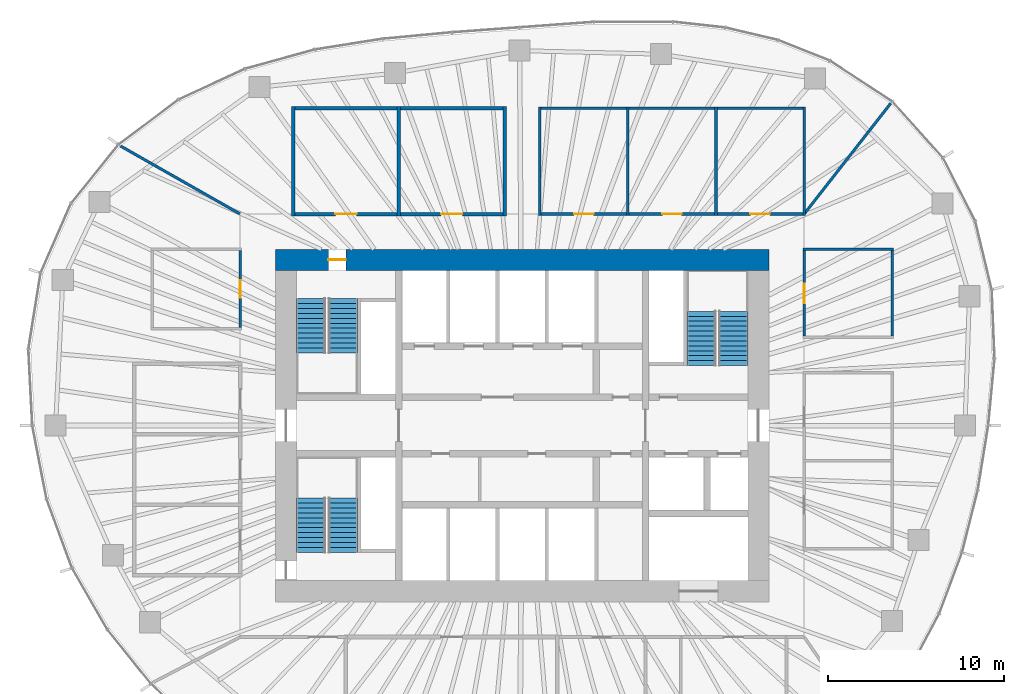
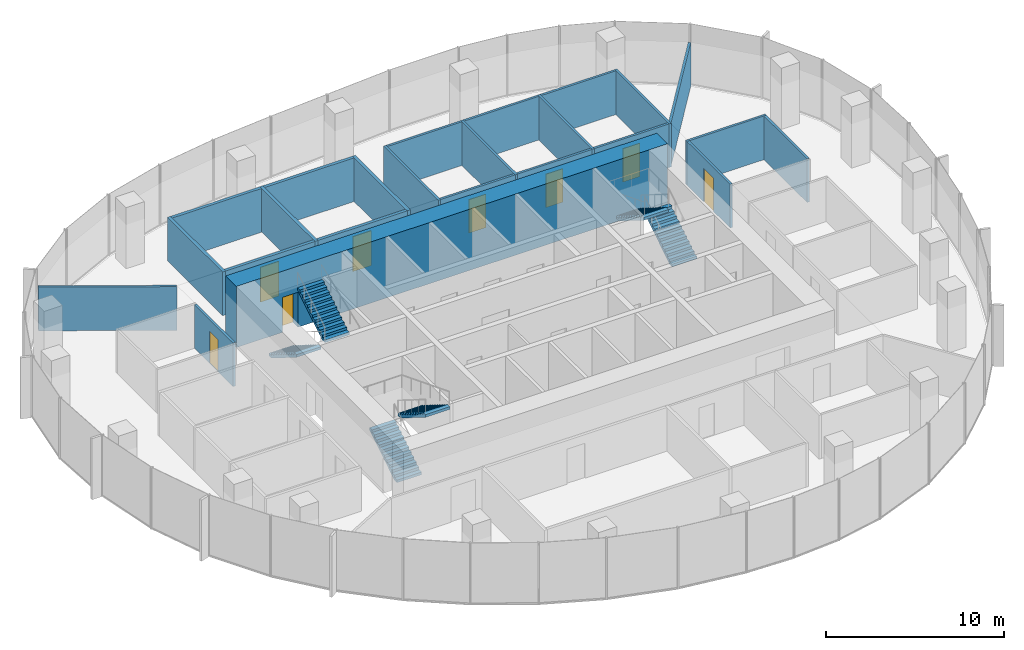
# One storey, part 10 of 11: 24 walls, 8 doors, 6 stair flights, 8 openings, 3 elements without a shape of their own.
"""IFC4 building model written with IfcOpenShell, lengths in metres."""

import ifcopenshell
import ifcopenshell.guid

model = None  # the IFC model being written
_history = None  # IfcOwnerHistory: only IFC2X3 demands one
_inside = {}  # id of a spatial element -> (the spatial element, [elements in it])
_under = {}  # id of a project, library or spatial element -> (it, [spatial elements below it])
_declared = {}  # id of a project -> (the project, [libraries it declares])
_typed = {}  # id of a type object -> (the type object, [elements of that type])
_made_of = {}  # id of a material, layer set ... -> (it, [elements and type objects made of it])


def new_model(schema):
    """Start an empty IFC model of exactly this schema.

    Asked for "IFC4X3", IfcOpenShell would pick the latest addendum, in which some entities
    have other attributes; the version numbers below select the first issue.
    IFC2X3 requires an IfcOwnerHistory on every rooted entity: one is made here for all.
    """
    global model, _history
    if schema == "IFC4X3":
        model = ifcopenshell.file(schema_version=(4, 3, 0, 0))
    else:
        model = ifcopenshell.file(schema=schema)
    _inside.clear()
    _under.clear()
    _declared.clear()
    _typed.clear()
    _made_of.clear()
    _history = None
    if model.schema == "IFC2X3":
        org = make("IfcOrganization", Name="unknown")
        user = make(
            "IfcPersonAndOrganization",
            ThePerson=make("IfcPerson", FamilyName="unknown"),
            TheOrganization=org,
        )
        app = make(
            "IfcApplication",
            ApplicationDeveloper=org,
            Version="unknown",
            ApplicationFullName="unknown",
            ApplicationIdentifier="unknown",
        )
        _history = make(
            "IfcOwnerHistory",
            OwningUser=user,
            OwningApplication=app,
            ChangeAction="ADDED",
            CreationDate=0,
        )
    return model


def make(cls, **values):
    """One entity of the class cls with the attributes given. An attribute that is None is left unset."""
    return model.create_entity(
        cls, **{name: value for name, value in values.items() if value is not None}
    )


def rooted(cls, **values):
    """An entity with a GlobalId (a new one), such as an element, a storey or a relation."""
    return make(cls, GlobalId=ifcopenshell.guid.new(), OwnerHistory=_history, **values)


def si_unit(unit_type, name, prefix=None):
    """IfcSIUnit, for example si_unit("LENGTHUNIT", "METRE", prefix="MILLI")."""
    return make("IfcSIUnit", UnitType=unit_type, Prefix=prefix, Name=name)


def assignment(units):
    """IfcUnitAssignment: the units of a project."""
    return None if units is None else make("IfcUnitAssignment", Units=units)


def point(xyz):
    """IfcCartesianPoint."""
    return None if xyz is None else make("IfcCartesianPoint", Coordinates=xyz)


def direction(xyz):
    """IfcDirection."""
    return None if xyz is None else make("IfcDirection", DirectionRatios=xyz)


def frame(location, z_axis=None, x_axis=None):
    """IfcAxis2Placement3D, a coordinate frame: its origin and axes. An axis left out is left unset."""
    return make(
        "IfcAxis2Placement3D",
        Location=point(location),
        Axis=direction(z_axis),
        RefDirection=direction(x_axis),
    )


def frame_2d(location, x_axis=None):
    """IfcAxis2Placement2D, a coordinate frame in the plane: its origin and x axis."""
    return make(
        "IfcAxis2Placement2D", Location=point(location), RefDirection=direction(x_axis)
    )


def origin():
    """The frame at (0, 0, 0) with its axes left unset."""
    return frame((0.0, 0.0, 0.0))


def place(relative_to, where):
    """IfcLocalPlacement: puts the frame where relative to a parent placement (None: the world)."""
    return make(
        "IfcLocalPlacement", PlacementRelTo=relative_to, RelativePlacement=where
    )


def context(
    kind, dimensions, precision=None, world=None, true_north=None, identifier=None
):
    """IfcGeometricRepresentationContext, for example the 3D "Model" context."""
    return make(
        "IfcGeometricRepresentationContext",
        ContextIdentifier=identifier,
        ContextType=kind,
        CoordinateSpaceDimension=dimensions,
        Precision=precision,
        WorldCoordinateSystem=world,
        TrueNorth=true_north,
    )


def subcontext(parent, identifier, kind, view, scale=None):
    """IfcGeometricRepresentationSubContext, for example "Body" below "Model"."""
    return make(
        "IfcGeometricRepresentationSubContext",
        ContextIdentifier=identifier,
        ContextType=kind,
        ParentContext=parent,
        TargetScale=scale,
        TargetView=view,
    )


def project(units=None, contexts=None):
    """IfcProject with its units and contexts."""
    return rooted(
        "IfcProject",
        Name="project",
        RepresentationContexts=contexts,
        UnitsInContext=assignment(units),
    )


def spatial(cls, under=None, at=None, **own):
    """A site, building, storey or space (cls), placed at a placement, below another one or the project."""
    s = rooted(cls, ObjectPlacement=at, **own)
    if under is not None:
        _under.setdefault(under.id(), (under, []))[1].append(s)
    return s


def polyline(points):
    """IfcPolyline through the points."""
    return make("IfcPolyline", Points=[point(p) for p in points])


def profile(cls, at=None, kind="AREA", **sizes):
    """A parametric profile (cls). Its sizes go by their IFC names, for example OverallWidth=200.0."""
    return make(cls, ProfileType=kind, Position=at, **sizes)


def rectangle(**sizes):
    """IfcRectangleProfileDef."""
    return profile("IfcRectangleProfileDef", **sizes)


def outline(outer, holes=None, kind="AREA"):
    """IfcArbitraryClosedProfileDef: a profile drawn as a closed curve; with holes, ...WithVoids."""
    if holes is None:
        return make("IfcArbitraryClosedProfileDef", ProfileType=kind, OuterCurve=outer)
    return make(
        "IfcArbitraryProfileDefWithVoids",
        ProfileType=kind,
        OuterCurve=outer,
        InnerCurves=holes,
    )


def extrude(swept, where, along, depth):
    """IfcExtrudedAreaSolid: the profile swept, set in the frame where, extruded along a direction by depth."""
    return make(
        "IfcExtrudedAreaSolid",
        SweptArea=swept,
        Position=where,
        ExtrudedDirection=direction(along),
        Depth=depth,
    )


def shape(context_of_items, identifier, shape_type, items):
    """IfcShapeRepresentation: the items that make up one representation, for example the "Body"."""
    return make(
        "IfcShapeRepresentation",
        ContextOfItems=context_of_items,
        RepresentationIdentifier=identifier,
        RepresentationType=shape_type,
        Items=items,
    )


def material(Name=None, Category=None):
    """IfcMaterial."""
    return make("IfcMaterial", Name=Name, Category=Category)


def layer(
    of_material, thickness, ventilated=None, Name=None, Category=None, Priority=None
):
    """IfcMaterialLayer: one layer of a wall or slab, of a material (None: an air gap)."""
    return make(
        "IfcMaterialLayer",
        Material=of_material,
        LayerThickness=thickness,
        IsVentilated=ventilated,
        Name=Name,
        Category=Category,
        Priority=Priority,
    )


def layer_set(layers, Name=None):
    """IfcMaterialLayerSet."""
    return make("IfcMaterialLayerSet", MaterialLayers=layers, LayerSetName=Name)


def made_of(thing, what):
    """Note that an element or type object is made of a material, layer set ...; save() writes the relation."""
    if what is not None:
        _made_of.setdefault(what.id(), (what, []))[1].append(thing)
    return thing


def type_object(cls, material=None, **own):
    """A type object (cls), such as IfcWallType, which elements share."""
    return made_of(rooted(cls, **own), material)


def element(
    cls,
    number,
    at=None,
    inside=None,
    cuts=None,
    type_object=None,
    material=None,
    context=None,
    identifier="Body",
    shape_type=None,
    held_by="IfcProductDefinitionShape",
    body=None,
    shapes=None,
    **own,
):
    """One element of the class cls, such as IfcWall. Its Tag is "e" and its number.

    at: its placement. inside: the storey or other place that contains it. cuts: it is an
    opening in that element (IfcRelVoidsElement). A single representation is given by context,
    identifier, shape_type and body (its items); several are given by shapes. held_by: the class
    of the entity that holds the representations. save() writes the other relations.
    """
    e = rooted(cls, Tag="e%d" % number, ObjectPlacement=at, **own)
    if body is not None:
        shapes = [shape(context, identifier, shape_type, body)]
    if shapes is not None:
        e.Representation = make(held_by, Representations=shapes)
    if inside is not None:
        _inside.setdefault(inside.id(), (inside, []))[1].append(e)
    if cuts is not None:
        rooted(
            "IfcRelVoidsElement", RelatingBuildingElement=cuts, RelatedOpeningElement=e
        )
    if type_object is not None:
        _typed.setdefault(type_object.id(), (type_object, []))[1].append(e)
    return made_of(e, material)


def fill(opening, filler):
    """IfcRelFillsElement: the door or window that sits in an opening."""
    return rooted(
        "IfcRelFillsElement",
        RelatingOpeningElement=opening,
        RelatedBuildingElement=filler,
    )


def aggregate(whole, parts):
    """IfcRelAggregates: a whole, such as a stair, and the parts it consists of."""
    return rooted("IfcRelAggregates", RelatingObject=whole, RelatedObjects=parts)


def save(model, path):
    """Write the relations noted so far, then the file.

    IfcRelAggregates (storeys below a building ...), IfcRelContainedInSpatialStructure (elements
    in a storey), IfcRelDefinesByType, IfcRelAssociatesMaterial and IfcRelDeclares: one each for
    every whole, place, type object, material and project.
    """
    for whole, parts in _under.values():
        aggregate(whole, parts)
    for where, things in _inside.values():
        rooted(
            "IfcRelContainedInSpatialStructure",
            RelatedElements=things,
            RelatingStructure=where,
        )
    for kind, things in _typed.values():
        rooted("IfcRelDefinesByType", RelatedObjects=things, RelatingType=kind)
    for what, things in _made_of.values():
        rooted("IfcRelAssociatesMaterial", RelatedObjects=things, RelatingMaterial=what)
    for by, libraries in _declared.values():
        rooted("IfcRelDeclares", RelatingContext=by, RelatedDefinitions=libraries)
    model.write(path)


model = new_model("IFC4")

# Units and contexts
model_context = context("Model", 3, precision=1e-05, world=origin(), true_north=direction((0.0, 1.0)))
body_context = subcontext(model_context, "Body", "Model", "MODEL_VIEW")
ifc_project = project(units=[si_unit("LENGTHUNIT", "METRE"), si_unit("AREAUNIT", "SQUARE_METRE"), si_unit("VOLUMEUNIT", "CUBIC_METRE"), si_unit("PLANEANGLEUNIT", "RADIAN"), si_unit("MASSUNIT", "GRAM", prefix="KILO")], contexts=[model_context])

# Site, building, storey
site_placement = place(None, origin())
site = spatial("IfcSite", under=ifc_project, at=site_placement, CompositionType="ELEMENT")
building_placement = place(site_placement, origin())
building = spatial("IfcBuilding", under=site, at=building_placement, Name="Ghaith Harvest Tower", CompositionType="ELEMENT")
storey_placement = place(building_placement, frame((0.0, 0.0, 241.0)))
storey = spatial("IfcBuildingStorey", under=building, at=storey_placement, Name="L53", CompositionType="ELEMENT", Elevation=241.0)

# Walls
ifc_material_1 = material(Name="Twin-stud gypsum board, acoustic", Category="gypsum")
ifc_layer_1 = layer(ifc_material_1, 0.199951171875)
ifc_layer_set_1 = layer_set([ifc_layer_1], Name="ACOUSTIC PARTITION 200")
wall_type_1 = type_object("IfcWallType", Name="ACOUSTIC PARTITION 200", PredefinedType="PARTITIONING", material=ifc_layer_set_1)
for number, where, z_axis, x_axis, name in (
    (1, (-13.0, 11.89990234375, 0.0), (0.0, 0.0, 1.0), (0.0, 1.0, 0.0), "Partition L53 row N3 cross wall 1"),
    (2, (-7.0, 11.89990234375, 0.0), (0.0, 0.0, 1.0), (0.0, 1.0, 0.0), "Partition L53 row N3 cross wall 2"),
    (3, (-1.0, 11.89990234375, 0.0), (0.0, 0.0, 1.0), (0.0, 1.0, 0.0), "Partition L53 row N3 cross wall 3"),
):
    element("IfcWall", number, at=place(storey_placement, frame(where, z_axis=z_axis, x_axis=x_axis)), inside=storey, type_object=wall_type_1, Name=name, PredefinedType="PARTITIONING", context=body_context, shape_type="SweptSolid", body=[
        extrude(rectangle(XDim=6.2001953125, YDim=0.199951171875, at=frame_2d((3.10009765625, 0.0))), origin(), (0.0, 0.0, 1.0), 3.0),
    ])

# Wall, opening, door
wall_1_placement = place(storey_placement, frame((-12.89990234375, 12.0, 0.0), z_axis=(0.0, 0.0, 1.0), x_axis=(1.0, 0.0, 0.0)))
wall_1 = element("IfcWall", 4, at=wall_1_placement, inside=storey, type_object=wall_type_1, Name="Partition L53-06", PredefinedType="PARTITIONING", context=body_context, shape_type="SweptSolid", body=[
    extrude(rectangle(XDim=5.7998046875, YDim=0.199951171875, at=frame_2d((2.89990234375, 0.0))), origin(), (0.0, 0.0, 1.0), 3.0),
])
opening_1_placement = place(wall_1_placement, frame((2.300048828125, 0.0, 0.0)))
opening_1 = element("IfcOpeningElement", 5, at=opening_1_placement, cuts=wall_1, Name="Opening 53-025", PredefinedType="OPENING", context=body_context, shape_type="SweptSolid", body=[
    extrude(rectangle(XDim=1.199951171875, YDim=2.39990234375, at=frame_2d((0.60009765625, 1.199951171875))), frame((0.0, 0.10986328125, 0.0), z_axis=(0.0, -1.0, 0.0), x_axis=(1.0, 0.0, 0.0)), (0.0, 0.0, 1.0), 0.219970703125),
])
ifc_material_2 = material(Name="Timber door", Category="wood")
door_type_1 = type_object("IfcDoorType", Name="D11 GLAZED 1200x2400", OperationType="SINGLE_SWING_LEFT", PredefinedType="DOOR", material=ifc_material_2)
door_1_placement = place(opening_1_placement, origin())
door_1 = element("IfcDoor", 6, at=door_1_placement, inside=storey, type_object=door_type_1, Name="Meeting room door", OperationType="SINGLE_SWING_LEFT", OverallHeight=2.39990234375, OverallWidth=1.199951171875, PredefinedType="DOOR", context=body_context, shape_type="SweptSolid", body=[
    extrude(rectangle(XDim=1.199951171875, YDim=2.39990234375, at=frame_2d((0.60009765625, 1.199951171875))), frame((0.0, 0.02490234375, 0.0), z_axis=(0.0, -1.0, 0.0), x_axis=(1.0, 0.0, 0.0)), (0.0, 0.0, 1.0), 0.050048828125),
])
fill(opening_1, door_1)

# Wall
wall_2_placement = place(storey_placement, frame((-12.89990234375, 18.0, 0.0), z_axis=(0.0, 0.0, 1.0), x_axis=(1.0, 0.0, 0.0)))
element("IfcWall", 7, at=wall_2_placement, inside=storey, type_object=wall_type_1, Name="Partition L53-06", PredefinedType="PARTITIONING", context=body_context, shape_type="SweptSolid", body=[
    extrude(rectangle(XDim=5.7998046875, YDim=0.199951171875, at=frame_2d((2.89990234375, 0.0))), origin(), (0.0, 0.0, 1.0), 3.0),
])

# Wall, opening, door
wall_3_placement = place(storey_placement, frame((-6.89990234375, 12.0, 0.0), z_axis=(0.0, 0.0, 1.0), x_axis=(1.0, 0.0, 0.0)))
wall_3 = element("IfcWall", 8, at=wall_3_placement, inside=storey, type_object=wall_type_1, Name="Partition L53-07", PredefinedType="PARTITIONING", context=body_context, shape_type="SweptSolid", body=[
    extrude(rectangle(XDim=5.7998046875, YDim=0.199951171875, at=frame_2d((2.89990234375, 0.0))), origin(), (0.0, 0.0, 1.0), 3.0),
])
opening_2_placement = place(wall_3_placement, frame((2.300048828125, 0.0, 0.0)))
opening_2 = element("IfcOpeningElement", 9, at=opening_2_placement, cuts=wall_3, Name="Opening 53-026", PredefinedType="OPENING", context=body_context, shape_type="SweptSolid", body=[
    extrude(rectangle(XDim=1.199951171875, YDim=2.39990234375, at=frame_2d((0.60009765625, 1.199951171875))), frame((0.0, 0.10986328125, 0.0), z_axis=(0.0, -1.0, 0.0), x_axis=(1.0, 0.0, 0.0)), (0.0, 0.0, 1.0), 0.219970703125),
])
door_2_placement = place(opening_2_placement, origin())
door_2 = element("IfcDoor", 10, at=door_2_placement, inside=storey, type_object=door_type_1, Name="Meeting room door", OperationType="SINGLE_SWING_LEFT", OverallHeight=2.39990234375, OverallWidth=1.199951171875, PredefinedType="DOOR", context=body_context, shape_type="SweptSolid", body=[
    extrude(rectangle(XDim=1.199951171875, YDim=2.39990234375, at=frame_2d((0.60009765625, 1.199951171875))), frame((0.0, 0.02490234375, 0.0), z_axis=(0.0, -1.0, 0.0), x_axis=(1.0, 0.0, 0.0)), (0.0, 0.0, 1.0), 0.050048828125),
])
fill(opening_2, door_2)

# Wall
wall_4_placement = place(storey_placement, frame((-6.89990234375, 18.0, 0.0), z_axis=(0.0, 0.0, 1.0), x_axis=(1.0, 0.0, 0.0)))
element("IfcWall", 11, at=wall_4_placement, inside=storey, type_object=wall_type_1, Name="Partition L53-07", PredefinedType="PARTITIONING", context=body_context, shape_type="SweptSolid", body=[
    extrude(rectangle(XDim=5.7998046875, YDim=0.199951171875, at=frame_2d((2.89990234375, 0.0))), origin(), (0.0, 0.0, 1.0), 3.0),
])

# Wall, opening, door
ifc_material_3 = material(Name="Concrete C60/75", Category="concrete")
ifc_layer_2 = layer(ifc_material_3, 1.199951171875)
ifc_layer_set_2 = layer_set([ifc_layer_2], Name="CORE WALL CW1200 C60")
wall_type_2 = type_object("IfcWallType", Name="CORE WALL CW1200 C60", PredefinedType="SHEAR", material=ifc_layer_set_2)
wall_5_placement = place(storey_placement, frame((14.0, 9.39990234375, 0.0), z_axis=(0.0, 0.0, 1.0), x_axis=(-1.0, 0.0, 0.0)))
wall_5 = element("IfcWall", 12, at=wall_5_placement, inside=storey, type_object=wall_type_2, Name="Core wall N L53", PredefinedType="SHEAR", context=body_context, shape_type="SweptSolid", body=[
    extrude(rectangle(XDim=28.0, YDim=1.199951171875, at=frame_2d((14.0, 0.0))), origin(), (0.0, 0.0, 1.0), 4.199951171875),
])
opening_3_placement = place(wall_5_placement, frame((24.0, 0.0, 0.0)))
opening_3 = element("IfcOpeningElement", 13, at=opening_3_placement, cuts=wall_5, Name="Opening 53-005", PredefinedType="OPENING", context=body_context, shape_type="SweptSolid", body=[
    extrude(rectangle(XDim=1.0, YDim=2.39990234375, at=frame_2d((0.5, 1.199951171875))), frame((0.0, 0.60986328125, 0.0), z_axis=(0.0, -1.0, 0.0), x_axis=(1.0, 0.0, 0.0)), (0.0, 0.0, 1.0), 1.219970703125),
])
ifc_material_4 = material(Name="Steel fire door", Category="steel")
door_type_2 = type_object("IfcDoorType", Name="D3 FD90 1000x2400", OperationType="SINGLE_SWING_LEFT", PredefinedType="DOOR", material=ifc_material_4)
door_3_placement = place(opening_3_placement, origin())
door_3 = element("IfcDoor", 14, at=door_3_placement, inside=storey, type_object=door_type_2, Name="Stair ST1 door", OperationType="SINGLE_SWING_RIGHT", OverallHeight=2.39990234375, OverallWidth=1.0, PredefinedType="DOOR", context=body_context, shape_type="SweptSolid", body=[
    extrude(rectangle(XDim=1.0, YDim=2.39990234375, at=frame_2d((0.5, 1.199951171875))), frame((0.0, 0.02490234375, 0.0), z_axis=(0.0, -1.0, 0.0), x_axis=(1.0, 0.0, 0.0)), (0.0, 0.0, 1.0), 0.050048828125),
])
fill(opening_3, door_3)

# Walls
ifc_material_5 = material(Name="Gypsum board on steel studs", Category="steel")
ifc_layer_3 = layer(ifc_material_5, 0.14990234375)
ifc_layer_set_3 = layer_set([ifc_layer_3], Name="PARTITION 150")
wall_type_3 = type_object("IfcWallType", Name="PARTITION 150", PredefinedType="PARTITIONING", material=ifc_layer_set_3)
for number, where, z_axis, x_axis, name in (
    (15, (1.0, 11.925048828125, 0.0), (0.0, 0.0, 1.0), (0.0, 1.0, 0.0), "Partition L53 row N4 cross wall 1"),
    (16, (6.0, 11.925048828125, 0.0), (0.0, 0.0, 1.0), (0.0, 1.0, 0.0), "Partition L53 row N4 cross wall 2"),
    (17, (11.0, 11.925048828125, 0.0), (0.0, 0.0, 1.0), (0.0, 1.0, 0.0), "Partition L53 row N4 cross wall 3"),
    (18, (16.0, 11.925048828125, 0.0), (0.0, 0.0, 1.0), (0.0, 1.0, 0.0), "Partition L53 row N4 cross wall 4"),
):
    element("IfcWall", number, at=place(storey_placement, frame(where, z_axis=z_axis, x_axis=x_axis)), inside=storey, type_object=wall_type_3, Name=name, PredefinedType="PARTITIONING", context=body_context, shape_type="SweptSolid", body=[
        extrude(rectangle(XDim=6.14990234375, YDim=0.14990234375, at=frame_2d((3.074951171875, 0.0))), origin(), (0.0, 0.0, 1.0), 3.0),
    ])

# Wall, opening, door
wall_6_placement = place(storey_placement, frame((1.074951171875, 12.0, 0.0), z_axis=(0.0, 0.0, 1.0), x_axis=(1.0, 0.0, 0.0)))
wall_6 = element("IfcWall", 19, at=wall_6_placement, inside=storey, type_object=wall_type_3, Name="Partition L53-08", PredefinedType="PARTITIONING", context=body_context, shape_type="SweptSolid", body=[
    extrude(rectangle(XDim=4.85009765625, YDim=0.14990234375, at=frame_2d((2.425048828125, 0.0))), origin(), (0.0, 0.0, 1.0), 3.0),
])
opening_4_placement = place(wall_6_placement, frame((1.875, 0.0, 0.0)))
opening_4 = element("IfcOpeningElement", 20, at=opening_4_placement, cuts=wall_6, Name="Opening 53-027", PredefinedType="OPENING", context=body_context, shape_type="SweptSolid", body=[
    extrude(rectangle(XDim=1.10009765625, YDim=2.300048828125, at=frame_2d((0.550048828125, 1.14990234375))), frame((0.0, 0.0849609375, 0.0), z_axis=(0.0, -1.0, 0.0), x_axis=(1.0, 0.0, 0.0)), (0.0, 0.0, 1.0), 0.169921875),
])
ifc_material_6 = material(Name="Timber-framed glazed door", Category="wood")
door_type_3 = type_object("IfcDoorType", Name="D12 GLAZED OFFICE 1100x2300", OperationType="SINGLE_SWING_LEFT", PredefinedType="DOOR", material=ifc_material_6)
door_4_placement = place(opening_4_placement, origin())
door_4 = element("IfcDoor", 21, at=door_4_placement, inside=storey, type_object=door_type_3, Name="Office door", OperationType="SINGLE_SWING_LEFT", OverallHeight=2.300048828125, OverallWidth=1.10009765625, PredefinedType="DOOR", context=body_context, shape_type="SweptSolid", body=[
    extrude(rectangle(XDim=1.10009765625, YDim=2.300048828125, at=frame_2d((0.550048828125, 1.14990234375))), frame((0.0, 0.02490234375, 0.0), z_axis=(0.0, -1.0, 0.0), x_axis=(1.0, 0.0, 0.0)), (0.0, 0.0, 1.0), 0.050048828125),
])
fill(opening_4, door_4)

# Wall
wall_7_placement = place(storey_placement, frame((1.074951171875, 18.0, 0.0), z_axis=(0.0, 0.0, 1.0), x_axis=(1.0, 0.0, 0.0)))
element("IfcWall", 22, at=wall_7_placement, inside=storey, type_object=wall_type_3, Name="Partition L53-08", PredefinedType="PARTITIONING", context=body_context, shape_type="SweptSolid", body=[
    extrude(rectangle(XDim=4.85009765625, YDim=0.14990234375, at=frame_2d((2.425048828125, 0.0))), origin(), (0.0, 0.0, 1.0), 3.0),
])

# Wall, opening, door
wall_8_placement = place(storey_placement, frame((6.074951171875, 12.0, 0.0), z_axis=(0.0, 0.0, 1.0), x_axis=(1.0, 0.0, 0.0)))
wall_8 = element("IfcWall", 23, at=wall_8_placement, inside=storey, type_object=wall_type_3, Name="Partition L53-09", PredefinedType="PARTITIONING", context=body_context, shape_type="SweptSolid", body=[
    extrude(rectangle(XDim=4.85009765625, YDim=0.14990234375, at=frame_2d((2.425048828125, 0.0))), origin(), (0.0, 0.0, 1.0), 3.0),
])
opening_5_placement = place(wall_8_placement, frame((1.875, 0.0, 0.0)))
opening_5 = element("IfcOpeningElement", 24, at=opening_5_placement, cuts=wall_8, Name="Opening 53-028", PredefinedType="OPENING", context=body_context, shape_type="SweptSolid", body=[
    extrude(rectangle(XDim=1.10009765625, YDim=2.300048828125, at=frame_2d((0.550048828125, 1.14990234375))), frame((0.0, 0.0849609375, 0.0), z_axis=(0.0, -1.0, 0.0), x_axis=(1.0, 0.0, 0.0)), (0.0, 0.0, 1.0), 0.169921875),
])
door_5_placement = place(opening_5_placement, origin())
door_5 = element("IfcDoor", 25, at=door_5_placement, inside=storey, type_object=door_type_3, Name="Office door", OperationType="SINGLE_SWING_LEFT", OverallHeight=2.300048828125, OverallWidth=1.10009765625, PredefinedType="DOOR", context=body_context, shape_type="SweptSolid", body=[
    extrude(rectangle(XDim=1.10009765625, YDim=2.300048828125, at=frame_2d((0.550048828125, 1.14990234375))), frame((0.0, 0.02490234375, 0.0), z_axis=(0.0, -1.0, 0.0), x_axis=(1.0, 0.0, 0.0)), (0.0, 0.0, 1.0), 0.050048828125),
])
fill(opening_5, door_5)

# Wall
wall_9_placement = place(storey_placement, frame((6.074951171875, 18.0, 0.0), z_axis=(0.0, 0.0, 1.0), x_axis=(1.0, 0.0, 0.0)))
element("IfcWall", 26, at=wall_9_placement, inside=storey, type_object=wall_type_3, Name="Partition L53-09", PredefinedType="PARTITIONING", context=body_context, shape_type="SweptSolid", body=[
    extrude(rectangle(XDim=4.85009765625, YDim=0.14990234375, at=frame_2d((2.425048828125, 0.0))), origin(), (0.0, 0.0, 1.0), 3.0),
])

# Wall, opening, door
wall_10_placement = place(storey_placement, frame((11.074951171875, 12.0, 0.0), z_axis=(0.0, 0.0, 1.0), x_axis=(1.0, 0.0, 0.0)))
wall_10 = element("IfcWall", 27, at=wall_10_placement, inside=storey, type_object=wall_type_3, Name="Partition L53-10", PredefinedType="PARTITIONING", context=body_context, shape_type="SweptSolid", body=[
    extrude(rectangle(XDim=4.85009765625, YDim=0.14990234375, at=frame_2d((2.425048828125, 0.0))), origin(), (0.0, 0.0, 1.0), 3.0),
])
opening_6_placement = place(wall_10_placement, frame((1.875, 0.0, 0.0)))
opening_6 = element("IfcOpeningElement", 28, at=opening_6_placement, cuts=wall_10, Name="Opening 53-029", PredefinedType="OPENING", context=body_context, shape_type="SweptSolid", body=[
    extrude(rectangle(XDim=1.10009765625, YDim=2.300048828125, at=frame_2d((0.550048828125, 1.14990234375))), frame((0.0, 0.0849609375, 0.0), z_axis=(0.0, -1.0, 0.0), x_axis=(1.0, 0.0, 0.0)), (0.0, 0.0, 1.0), 0.169921875),
])
door_6_placement = place(opening_6_placement, origin())
door_6 = element("IfcDoor", 29, at=door_6_placement, inside=storey, type_object=door_type_3, Name="Office door", OperationType="SINGLE_SWING_LEFT", OverallHeight=2.300048828125, OverallWidth=1.10009765625, PredefinedType="DOOR", context=body_context, shape_type="SweptSolid", body=[
    extrude(rectangle(XDim=1.10009765625, YDim=2.300048828125, at=frame_2d((0.550048828125, 1.14990234375))), frame((0.0, 0.02490234375, 0.0), z_axis=(0.0, -1.0, 0.0), x_axis=(1.0, 0.0, 0.0)), (0.0, 0.0, 1.0), 0.050048828125),
])
fill(opening_6, door_6)

# Walls
wall_11_placement = place(storey_placement, frame((11.074951171875, 18.0, 0.0), z_axis=(0.0, 0.0, 1.0), x_axis=(1.0, 0.0, 0.0)))
element("IfcWall", 30, at=wall_11_placement, inside=storey, type_object=wall_type_3, Name="Partition L53-10", PredefinedType="PARTITIONING", context=body_context, shape_type="SweptSolid", body=[
    extrude(rectangle(XDim=4.85009765625, YDim=0.14990234375, at=frame_2d((2.425048828125, 0.0))), origin(), (0.0, 0.0, 1.0), 3.0),
])
wall_12_placement = place(storey_placement, frame((15.925048828125, 10.0, 0.0), z_axis=(0.0, 0.0, 1.0), x_axis=(1.0, 0.0, 0.0)))
element("IfcWall", 31, at=wall_12_placement, inside=storey, type_object=wall_type_3, Name="Partition L53 row E7 cross wall 2", PredefinedType="PARTITIONING", context=body_context, shape_type="SweptSolid", body=[
    extrude(rectangle(XDim=5.14990234375, YDim=0.14990234375, at=frame_2d((2.574951171875, 0.0))), origin(), (0.0, 0.0, 1.0), 3.0),
])

# Wall, opening, door
wall_13_placement = place(storey_placement, frame((16.0, 5.074951171875, 0.0), z_axis=(0.0, 0.0, 1.0), x_axis=(0.0, 1.0, 0.0)))
wall_13 = element("IfcWall", 32, at=wall_13_placement, inside=storey, type_object=wall_type_3, Name="Partition L53-14", PredefinedType="PARTITIONING", context=body_context, shape_type="SweptSolid", body=[
    extrude(rectangle(XDim=4.85009765625, YDim=0.14990234375, at=frame_2d((2.425048828125, 0.0))), origin(), (0.0, 0.0, 1.0), 3.0),
])
opening_7_placement = place(wall_13_placement, frame((1.875, 0.0, 0.0)))
opening_7 = element("IfcOpeningElement", 33, at=opening_7_placement, cuts=wall_13, Name="Opening 53-033", PredefinedType="OPENING", context=body_context, shape_type="SweptSolid", body=[
    extrude(rectangle(XDim=1.10009765625, YDim=2.300048828125, at=frame_2d((0.550048828125, 1.14990234375))), frame((0.0, 0.0849609375, 0.0), z_axis=(0.0, -1.0, 0.0), x_axis=(1.0, 0.0, 0.0)), (0.0, 0.0, 1.0), 0.169921875),
])
door_7_placement = place(opening_7_placement, origin())
door_7 = element("IfcDoor", 34, at=door_7_placement, inside=storey, type_object=door_type_3, Name="Office door", OperationType="SINGLE_SWING_LEFT", OverallHeight=2.300048828125, OverallWidth=1.10009765625, PredefinedType="DOOR", context=body_context, shape_type="SweptSolid", body=[
    extrude(rectangle(XDim=1.10009765625, YDim=2.300048828125, at=frame_2d((0.550048828125, 1.14990234375))), frame((0.0, 0.02490234375, 0.0), z_axis=(0.0, -1.0, 0.0), x_axis=(1.0, 0.0, 0.0)), (0.0, 0.0, 1.0), 0.050048828125),
])
fill(opening_7, door_7)

# Wall
wall_14_placement = place(storey_placement, frame((21.0, 5.074951171875, 0.0), z_axis=(0.0, 0.0, 1.0), x_axis=(0.0, 1.0, 0.0)))
element("IfcWall", 35, at=wall_14_placement, inside=storey, type_object=wall_type_3, Name="Partition L53-14", PredefinedType="PARTITIONING", context=body_context, shape_type="SweptSolid", body=[
    extrude(rectangle(XDim=4.85009765625, YDim=0.14990234375, at=frame_2d((2.425048828125, 0.0))), origin(), (0.0, 0.0, 1.0), 3.0),
])

# Wall, opening, door
wall_15_placement = place(storey_placement, frame((-16.0, 5.574951171875, 0.0), z_axis=(0.0, 0.0, 1.0), x_axis=(0.0, 1.0, 0.0)))
wall_15 = element("IfcWall", 36, at=wall_15_placement, inside=storey, type_object=wall_type_3, Name="Partition L53-15", PredefinedType="PARTITIONING", context=body_context, shape_type="SweptSolid", body=[
    extrude(rectangle(XDim=4.35009765625, YDim=0.14990234375, at=frame_2d((2.175048828125, 0.0))), origin(), (0.0, 0.0, 1.0), 3.0),
])
opening_8_placement = place(wall_15_placement, frame((1.675048828125, 0.0, 0.0)))
opening_8 = element("IfcOpeningElement", 37, at=opening_8_placement, cuts=wall_15, Name="Opening 53-034", PredefinedType="OPENING", context=body_context, shape_type="SweptSolid", body=[
    extrude(rectangle(XDim=1.0, YDim=2.199951171875, at=frame_2d((0.5, 1.10009765625))), frame((0.0, 0.0849609375, 0.0), z_axis=(0.0, -1.0, 0.0), x_axis=(1.0, 0.0, 0.0)), (0.0, 0.0, 1.0), 0.169921875),
])
ifc_material_7 = material(Name="Timber door", Category="wood")
door_type_4 = type_object("IfcDoorType", Name="D1 SINGLE 1000x2200", OperationType="SINGLE_SWING_LEFT", PredefinedType="DOOR", material=ifc_material_7)
door_8_placement = place(opening_8_placement, origin())
door_8 = element("IfcDoor", 38, at=door_8_placement, inside=storey, type_object=door_type_4, Name="Store door", OperationType="SINGLE_SWING_LEFT", OverallHeight=2.199951171875, OverallWidth=1.0, PredefinedType="DOOR", context=body_context, shape_type="SweptSolid", body=[
    extrude(rectangle(XDim=1.0, YDim=2.199951171875, at=frame_2d((0.5, 1.10009765625))), frame((0.0, 0.02490234375, 0.0), z_axis=(0.0, -1.0, 0.0), x_axis=(1.0, 0.0, 0.0)), (0.0, 0.0, 1.0), 0.050048828125),
])
fill(opening_8, door_8)

# Walls
wall_16_placement = place(storey_placement, frame((-16.017333984375, 12.010009765625, 0.0), z_axis=(0.0, 0.0, 1.0), x_axis=(-0.869357432803, 0.494183826151, 0.0)))
element("IfcWall", 39, at=wall_16_placement, inside=storey, type_object=wall_type_3, Name="Partition L53 zone division", PredefinedType="PARTITIONING", context=body_context, shape_type="SweptSolid", body=[
    extrude(rectangle(XDim=7.791259765625, YDim=0.14990234375, at=frame_2d((3.8955078125, 0.0))), origin(), (0.0, 0.0, 1.0), 3.0),
])
wall_17_placement = place(storey_placement, frame((16.02001953125, 12.025634765625, 0.0), z_axis=(0.0, 0.0, 1.0), x_axis=(0.616031272047, 0.787721696959, 0.0)))
element("IfcWall", 40, at=wall_17_placement, inside=storey, type_object=wall_type_3, Name="Partition L53 zone division", PredefinedType="PARTITIONING", context=body_context, shape_type="SweptSolid", body=[
    extrude(rectangle(XDim=7.93896484375, YDim=0.14990234375, at=frame_2d((3.969482421875, 0.0))), origin(), (0.0, 0.0, 1.0), 3.0),
])

# Stair, stair flights
ifc_material_8 = material(Name="Concrete C40/50, precast", Category="concrete")
stair_type = type_object("IfcStairType", Name="CORE STAIR 24R", PredefinedType="HALF_TURN_STAIR", material=ifc_material_8)
stair_1_placement = place(storey_placement, origin())
stair_1 = element("IfcStair", 41, at=stair_1_placement, inside=storey, type_object=stair_type, Name="Stair ST1 L53", PredefinedType="HALF_TURN_STAIR")
ifc_material_9 = material(Name="Concrete C40/50, precast", Category="concrete")
stair_flight_type = type_object("IfcStairFlightType", Name="CORE FLIGHT 12R 1600", PredefinedType="STRAIGHT", material=ifc_material_9)
stair_flight_1_placement = place(storey_placement, frame((-12.0, 7.199951171875, 0.0), z_axis=(0.0, 0.0, 1.0), x_axis=(0.0, -1.0, 0.0)))
stair_flight_1 = element("IfcStairFlight", 42, at=stair_flight_1_placement, type_object=stair_flight_type, Name="ST1 flight 1", NumberOfRisers=12, NumberOfTreads=11, PredefinedType="STRAIGHT", RiserHeight=0.175, TreadLength=0.28, context=body_context, shape_type="SweptSolid", body=[
    extrude(outline(polyline([(0.0, 0.0), (0.0, 0.175048828125), (0.280029296875, 0.175048828125), (0.280029296875, 0.35009765625), (0.56005859375, 0.35009765625), (0.56005859375, 0.52490234375), (0.840087890625, 0.52490234375), (0.840087890625, 0.699951171875), (1.1201171875, 0.699951171875), (1.1201171875, 0.875), (1.39990234375, 0.875), (1.39990234375, 1.050048828125), (1.679931640625, 1.050048828125), (1.679931640625, 1.22509765625), (1.9599609375, 1.22509765625), (1.9599609375, 1.39990234375), (2.239990234375, 1.39990234375), (2.239990234375, 1.574951171875), (2.52001953125, 1.574951171875), (2.52001953125, 1.75), (2.800048828125, 1.75), (2.800048828125, 1.925048828125), (3.080078125, 1.925048828125), (3.080078125, 2.10009765625), (3.080078125, 1.748291015625), (0.28271484375, 0.0), (0.0, 0.0)])), frame((0.0, 0.800048828125, 0.0), z_axis=(0.0, -1.0, 0.0), x_axis=(1.0, 0.0, 0.0)), (0.0, 0.0, 1.0), 1.60009765625),
])
stair_flight_2_placement = place(storey_placement, frame((-10.14990234375, 4.1201171875, 2.10009765625), z_axis=(0.0, 0.0, 1.0), x_axis=(0.0, 1.0, 0.0)))
stair_flight_2 = element("IfcStairFlight", 43, at=stair_flight_2_placement, type_object=stair_flight_type, Name="ST1 flight 2", NumberOfRisers=12, NumberOfTreads=11, PredefinedType="STRAIGHT", RiserHeight=0.175, TreadLength=0.28, context=body_context, shape_type="SweptSolid", body=[
    extrude(outline(polyline([(0.0, 0.0), (0.0, 0.175048828125), (0.280029296875, 0.175048828125), (0.280029296875, 0.35009765625), (0.56005859375, 0.35009765625), (0.56005859375, 0.52490234375), (0.840087890625, 0.52490234375), (0.840087890625, 0.699951171875), (1.1201171875, 0.699951171875), (1.1201171875, 0.875), (1.39990234375, 0.875), (1.39990234375, 1.050048828125), (1.679931640625, 1.050048828125), (1.679931640625, 1.22509765625), (1.9599609375, 1.22509765625), (1.9599609375, 1.39990234375), (2.239990234375, 1.39990234375), (2.239990234375, 1.574951171875), (2.52001953125, 1.574951171875), (2.52001953125, 1.75), (2.800048828125, 1.75), (2.800048828125, 1.925048828125), (3.080078125, 1.925048828125), (3.080078125, 2.10009765625), (3.080078125, 1.748291015625), (0.28271484375, 0.0), (0.0, 0.0)])), frame((0.0, 0.800048828125, 0.0), z_axis=(0.0, -1.0, 0.0), x_axis=(1.0, 0.0, 0.0)), (0.0, 0.0, 1.0), 1.60009765625),
])
aggregate(stair_1, [stair_flight_1, stair_flight_2])

stair_2_placement = place(storey_placement, origin())
stair_2 = element("IfcStair", 44, at=stair_2_placement, inside=storey, type_object=stair_type, Name="Stair ST3 L53", PredefinedType="HALF_TURN_STAIR")
stair_flight_3_placement = place(storey_placement, frame((-12.0, -7.199951171875, 0.0), z_axis=(0.0, 0.0, 1.0), x_axis=(0.0, 1.0, 0.0)))
stair_flight_3 = element("IfcStairFlight", 45, at=stair_flight_3_placement, type_object=stair_flight_type, Name="ST3 flight 1", NumberOfRisers=12, NumberOfTreads=11, PredefinedType="STRAIGHT", RiserHeight=0.175, TreadLength=0.28, context=body_context, shape_type="SweptSolid", body=[
    extrude(outline(polyline([(0.0, 0.0), (0.0, 0.175048828125), (0.280029296875, 0.175048828125), (0.280029296875, 0.35009765625), (0.56005859375, 0.35009765625), (0.56005859375, 0.52490234375), (0.840087890625, 0.52490234375), (0.840087890625, 0.699951171875), (1.1201171875, 0.699951171875), (1.1201171875, 0.875), (1.39990234375, 0.875), (1.39990234375, 1.050048828125), (1.679931640625, 1.050048828125), (1.679931640625, 1.22509765625), (1.9599609375, 1.22509765625), (1.9599609375, 1.39990234375), (2.239990234375, 1.39990234375), (2.239990234375, 1.574951171875), (2.52001953125, 1.574951171875), (2.52001953125, 1.75), (2.800048828125, 1.75), (2.800048828125, 1.925048828125), (3.080078125, 1.925048828125), (3.080078125, 2.10009765625), (3.080078125, 1.748291015625), (0.28271484375, 0.0), (0.0, 0.0)])), frame((0.0, 0.800048828125, 0.0), z_axis=(0.0, -1.0, 0.0), x_axis=(1.0, 0.0, 0.0)), (0.0, 0.0, 1.0), 1.60009765625),
])
stair_flight_4_placement = place(storey_placement, frame((-10.14990234375, -4.1201171875, 2.10009765625), z_axis=(0.0, 0.0, 1.0), x_axis=(0.0, -1.0, 0.0)))
stair_flight_4 = element("IfcStairFlight", 46, at=stair_flight_4_placement, type_object=stair_flight_type, Name="ST3 flight 2", NumberOfRisers=12, NumberOfTreads=11, PredefinedType="STRAIGHT", RiserHeight=0.175, TreadLength=0.28, context=body_context, shape_type="SweptSolid", body=[
    extrude(outline(polyline([(0.0, 0.0), (0.0, 0.175048828125), (0.280029296875, 0.175048828125), (0.280029296875, 0.35009765625), (0.56005859375, 0.35009765625), (0.56005859375, 0.52490234375), (0.840087890625, 0.52490234375), (0.840087890625, 0.699951171875), (1.1201171875, 0.699951171875), (1.1201171875, 0.875), (1.39990234375, 0.875), (1.39990234375, 1.050048828125), (1.679931640625, 1.050048828125), (1.679931640625, 1.22509765625), (1.9599609375, 1.22509765625), (1.9599609375, 1.39990234375), (2.239990234375, 1.39990234375), (2.239990234375, 1.574951171875), (2.52001953125, 1.574951171875), (2.52001953125, 1.75), (2.800048828125, 1.75), (2.800048828125, 1.925048828125), (3.080078125, 1.925048828125), (3.080078125, 2.10009765625), (3.080078125, 1.748291015625), (0.28271484375, 0.0), (0.0, 0.0)])), frame((0.0, 0.800048828125, 0.0), z_axis=(0.0, -1.0, 0.0), x_axis=(1.0, 0.0, 0.0)), (0.0, 0.0, 1.0), 1.60009765625),
])
aggregate(stair_2, [stair_flight_3, stair_flight_4])

stair_3_placement = place(storey_placement, origin())
stair_3 = element("IfcStair", 47, at=stair_3_placement, inside=storey, type_object=stair_type, Name="Stair ST2 L53", PredefinedType="HALF_TURN_STAIR")
stair_flight_5_placement = place(storey_placement, frame((12.0, 3.39990234375, 0.0), z_axis=(0.0, 0.0, 1.0), x_axis=(0.0, 1.0, 0.0)))
stair_flight_5 = element("IfcStairFlight", 48, at=stair_flight_5_placement, type_object=stair_flight_type, Name="ST2 flight 1", NumberOfRisers=12, NumberOfTreads=11, PredefinedType="STRAIGHT", RiserHeight=0.175, TreadLength=0.28, context=body_context, shape_type="SweptSolid", body=[
    extrude(outline(polyline([(0.0, 0.0), (0.0, 0.175048828125), (0.280029296875, 0.175048828125), (0.280029296875, 0.35009765625), (0.56005859375, 0.35009765625), (0.56005859375, 0.52490234375), (0.840087890625, 0.52490234375), (0.840087890625, 0.699951171875), (1.1201171875, 0.699951171875), (1.1201171875, 0.875), (1.39990234375, 0.875), (1.39990234375, 1.050048828125), (1.679931640625, 1.050048828125), (1.679931640625, 1.22509765625), (1.9599609375, 1.22509765625), (1.9599609375, 1.39990234375), (2.239990234375, 1.39990234375), (2.239990234375, 1.574951171875), (2.52001953125, 1.574951171875), (2.52001953125, 1.75), (2.800048828125, 1.75), (2.800048828125, 1.925048828125), (3.080078125, 1.925048828125), (3.080078125, 2.10009765625), (3.080078125, 1.748291015625), (0.28271484375, 0.0), (0.0, 0.0)])), frame((0.0, 0.800048828125, 0.0), z_axis=(0.0, -1.0, 0.0), x_axis=(1.0, 0.0, 0.0)), (0.0, 0.0, 1.0), 1.60009765625),
])
stair_flight_6_placement = place(storey_placement, frame((10.14990234375, 6.47998046875, 2.10009765625), z_axis=(0.0, 0.0, 1.0), x_axis=(0.0, -1.0, 0.0)))
stair_flight_6 = element("IfcStairFlight", 49, at=stair_flight_6_placement, type_object=stair_flight_type, Name="ST2 flight 2", NumberOfRisers=12, NumberOfTreads=11, PredefinedType="STRAIGHT", RiserHeight=0.175, TreadLength=0.28, context=body_context, shape_type="SweptSolid", body=[
    extrude(outline(polyline([(0.0, 0.0), (0.0, 0.175048828125), (0.280029296875, 0.175048828125), (0.280029296875, 0.35009765625), (0.56005859375, 0.35009765625), (0.56005859375, 0.52490234375), (0.840087890625, 0.52490234375), (0.840087890625, 0.699951171875), (1.1201171875, 0.699951171875), (1.1201171875, 0.875), (1.39990234375, 0.875), (1.39990234375, 1.050048828125), (1.679931640625, 1.050048828125), (1.679931640625, 1.22509765625), (1.9599609375, 1.22509765625), (1.9599609375, 1.39990234375), (2.239990234375, 1.39990234375), (2.239990234375, 1.574951171875), (2.52001953125, 1.574951171875), (2.52001953125, 1.75), (2.800048828125, 1.75), (2.800048828125, 1.925048828125), (3.080078125, 1.925048828125), (3.080078125, 2.10009765625), (3.080078125, 1.748291015625), (0.28271484375, 0.0), (0.0, 0.0)])), frame((0.0, 0.800048828125, 0.0), z_axis=(0.0, -1.0, 0.0), x_axis=(1.0, 0.0, 0.0)), (0.0, 0.0, 1.0), 1.60009765625),
])
aggregate(stair_3, [stair_flight_5, stair_flight_6])

save(model, "model.ifc")
